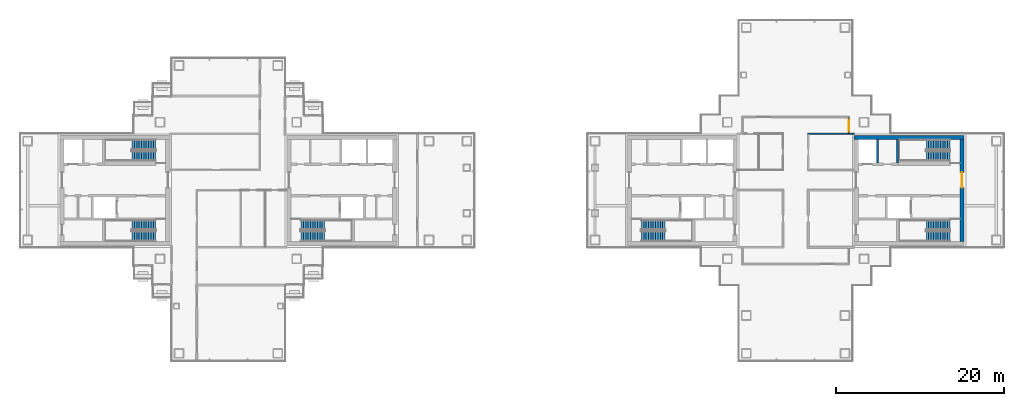
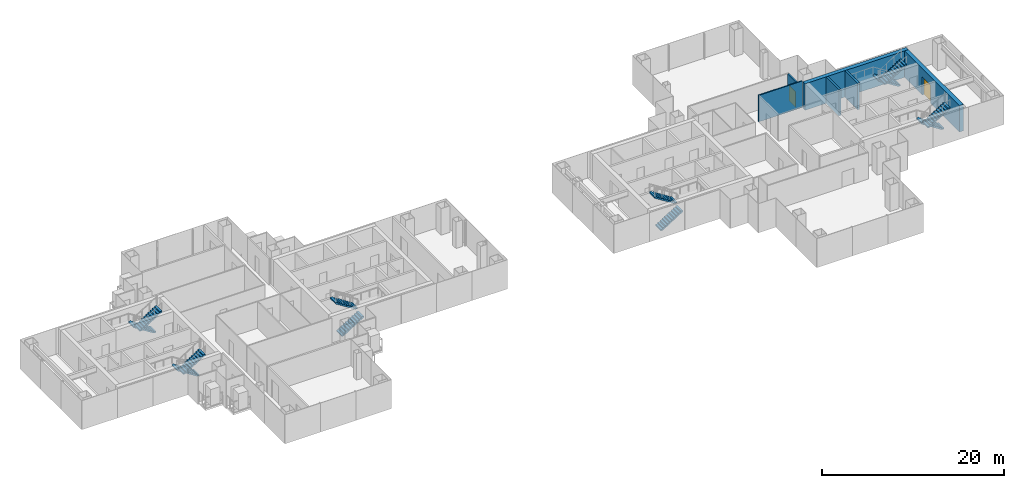
# One storey, part 13 of 16: 12 stair flights, 6 walls, 2 doors, 2 openings, 6 elements without a shape of their own.
"""IFC4 building model written with IfcOpenShell, lengths in metres."""

from ifc_helpers import new_model, si_unit, direction, frame, frame_2d, origin, place, context, subcontext, project, spatial, polyline, rectangle, outline, extrude, material, layer, layer_set, type_object, element, fill, aggregate, save


model = new_model("IFC4")

# Units and contexts
model_context = context("Model", 3, precision=1e-05, world=origin(), true_north=direction((0.0, 1.0)))
body_context = subcontext(model_context, "Body", "Model", "MODEL_VIEW")
ifc_project = project(units=[si_unit("LENGTHUNIT", "METRE"), si_unit("AREAUNIT", "SQUARE_METRE"), si_unit("VOLUMEUNIT", "CUBIC_METRE"), si_unit("PLANEANGLEUNIT", "RADIAN"), si_unit("MASSUNIT", "GRAM", prefix="KILO")], contexts=[model_context])

# Site, building, storey
site_placement = place(None, origin())
site = spatial("IfcSite", under=ifc_project, at=site_placement, CompositionType="ELEMENT")
building_placement = place(site_placement, origin())
building = spatial("IfcBuilding", under=site, at=building_placement, Name="Shamsa Quay Exchange Towers", CompositionType="ELEMENT")
storey_placement = place(building_placement, frame((0.0, 0.0, 142.800048828125)))
storey = spatial("IfcBuildingStorey", under=building, at=storey_placement, Name="L33", CompositionType="ELEMENT", Elevation=142.800048828125)

# Wall
ifc_material_1 = material(Name="Concrete C60/75", Category="concrete")
ifc_layer_1 = layer(ifc_material_1, 0.5)
ifc_layer_set_1 = layer_set([ifc_layer_1], Name="CORE WALL 500 C60/75")
wall_type_1 = type_object("IfcWallType", Name="CORE WALL 500 C60/75", PredefinedType="SHEAR", material=ifc_layer_set_1)
wall_1_placement = place(storey_placement, frame((53.800048828125, 6.300048828125, 0.0), z_axis=(0.0, 0.0, 1.0), x_axis=(-1.0, 0.0, 0.0)))
element("IfcWall", 1, at=wall_1_placement, inside=storey, type_object=wall_type_1, Name="Core wall T2B-R15-PN", PredefinedType="SHEAR", context=body_context, shape_type="SweptSolid", body=[
    extrude(rectangle(XDim=13.10009765625, YDim=0.5, at=frame_2d((6.550048828125, 0.0))), origin(), (0.0, 0.0, 1.0), 3.550048828125),
])

# Wall, opening, door
wall_2_placement = place(storey_placement, frame((53.550048828125, -6.050048828125, 0.0), z_axis=(0.0, 0.0, 1.0), x_axis=(0.0, 1.0, 0.0)))
wall_2 = element("IfcWall", 2, at=wall_2_placement, inside=storey, type_object=wall_type_1, Name="Core wall T2B-R15-PF", PredefinedType="SHEAR", context=body_context, shape_type="SweptSolid", body=[
    extrude(rectangle(XDim=12.10009765625, YDim=0.5, at=frame_2d((6.050048828125, 0.0))), origin(), (0.0, 0.0, 1.0), 3.550048828125),
])
opening_1_placement = place(wall_2_placement, frame((6.39990234375, 0.0, 0.0)))
opening_1 = element("IfcOpeningElement", 3, at=opening_1_placement, cuts=wall_2, Name="Opening T2B-R15-LBD01", PredefinedType="OPENING", context=body_context, shape_type="SweptSolid", body=[
    extrude(rectangle(XDim=1.800048828125, YDim=2.39990234375, at=frame_2d((0.89990234375, 1.199951171875))), frame((0.0, 0.260009765625, 0.0), z_axis=(0.0, -1.0, 0.0), x_axis=(1.0, 0.0, 0.0)), (0.0, 0.0, 1.0), 0.52001953125),
])
ifc_material_2 = material(Name="Steel, fire rated", Category="steel")
door_type_1 = type_object("IfcDoorType", Name="LIFT LOBBY DOOR PAIR 1800", OperationType="DOUBLE_DOOR_SINGLE_SWING", PredefinedType="DOOR", material=ifc_material_2)
door_1_placement = place(opening_1_placement, origin())
door_1 = element("IfcDoor", 4, at=door_1_placement, inside=storey, type_object=door_type_1, Name="T2B-R15-LBD01", OperationType="DOUBLE_DOOR_SINGLE_SWING", OverallHeight=2.39990234375, OverallWidth=1.800048828125, PredefinedType="DOOR", context=body_context, shape_type="SweptSolid", body=[
    extrude(rectangle(XDim=1.800048828125, YDim=2.39990234375, at=frame_2d((0.89990234375, 1.199951171875))), frame((0.0, 0.02490234375, 0.0), z_axis=(0.0, -1.0, 0.0), x_axis=(1.0, 0.0, 0.0)), (0.0, 0.0, 1.0), 0.050048828125),
])
fill(opening_1, door_1)

# Wall
ifc_material_3 = material(Name="Gypsum board partition on metal studs")
ifc_layer_2 = layer(ifc_material_3, 0.14990234375)
ifc_layer_set_2 = layer_set([ifc_layer_2], Name="Partition 150 mm EI 60")
wall_type_2 = type_object("IfcWallType", Name="Partition 150 mm EI 60", PredefinedType="PARTITIONING", material=ifc_layer_set_2)
wall_3_placement = place(storey_placement, frame((40.699951171875, 6.75, 0.0), z_axis=(0.0, 0.0, 1.0), x_axis=(-1.0, 0.0, 0.0)))
element("IfcWall", 5, at=wall_3_placement, inside=storey, type_object=wall_type_2, Name="Partition T2-R15-W10", PredefinedType="PARTITIONING", context=body_context, shape_type="SweptSolid", body=[
    extrude(rectangle(XDim=5.52490234375, YDim=0.14990234375, at=frame_2d((2.762451171875, 0.0))), origin(), (0.0, 0.0, 1.0), 3.550048828125),
])

# Wall, opening, door
wall_4_placement = place(storey_placement, frame((40.0751953125, 6.824951171875, 0.0), z_axis=(0.0, 0.0, 1.0), x_axis=(0.0, 1.0, 0.0)))
wall_4 = element("IfcWall", 6, at=wall_4_placement, inside=storey, type_object=wall_type_2, Name="Partition T2-R15-W14", PredefinedType="PARTITIONING", context=body_context, shape_type="SweptSolid", body=[
    extrude(rectangle(XDim=1.85009765625, YDim=0.14990234375, at=frame_2d((0.925048828125, 0.0))), origin(), (0.0, 0.0, 1.0), 3.550048828125),
])
opening_2_placement = place(wall_4_placement, frame((0.175048828125, 0.0, 0.0)))
opening_2 = element("IfcOpeningElement", 7, at=opening_2_placement, cuts=wall_4, Name="Opening T2-R15-D03", PredefinedType="OPENING", context=body_context, shape_type="SweptSolid", body=[
    extrude(rectangle(XDim=1.5, YDim=2.10009765625, at=frame_2d((0.75, 1.050048828125))), frame((0.0, 0.0849609375, 0.0), z_axis=(0.0, -1.0, 0.0), x_axis=(1.0, 0.0, 0.0)), (0.0, 0.0, 1.0), 0.169921875),
])
ifc_material_4 = material(Name="Timber door leaf in a metal frame", Category="wood")
door_type_2 = type_object("IfcDoorType", Name="Door 1500x2100 FD30S pair", OperationType="NOTDEFINED", PredefinedType="DOOR", material=ifc_material_4)
door_2_placement = place(opening_2_placement, origin())
door_2 = element("IfcDoor", 8, at=door_2_placement, inside=storey, type_object=door_type_2, Name="Door T2-R15-D03", OperationType="DOUBLE_DOOR_SINGLE_SWING", OverallHeight=2.10009765625, OverallWidth=1.5, PredefinedType="DOOR", context=body_context, shape_type="SweptSolid", body=[
    extrude(rectangle(XDim=1.5, YDim=2.10009765625, at=frame_2d((0.75, 1.050048828125))), frame((0.0, 0.02490234375, 0.0), z_axis=(0.0, -1.0, 0.0), x_axis=(1.0, 0.0, 0.0)), (0.0, 0.0, 1.0), 0.050048828125),
])
fill(opening_2, door_2)

# Walls
ifc_material_5 = material(Name="Concrete C50/60", Category="concrete")
ifc_layer_3 = layer(ifc_material_5, 0.25)
ifc_layer_set_3 = layer_set([ifc_layer_3], Name="SHAFT WALL 250 C50/60")
wall_type_3 = type_object("IfcWallType", Name="SHAFT WALL 250 C50/60", PredefinedType="SHEAR", material=ifc_layer_set_3)
for number, where, z_axis, x_axis, name in (
    (9, (45.875, 3.25, 0.0), (0.0, 0.0, 1.0), (0.0, 1.0, 0.0), "Shaft wall T2B-R15-STF2"),
    (10, (43.47509765625, 3.25, 0.0), (0.0, 0.0, 1.0), (0.0, 1.0, 0.0), "Shaft wall T2B-R15-D0"),
):
    element("IfcWall", number, at=place(storey_placement, frame(where, z_axis=z_axis, x_axis=x_axis)), inside=storey, type_object=wall_type_3, Name=name, PredefinedType="SHEAR", context=body_context, shape_type="SweptSolid", body=[
        extrude(rectangle(XDim=2.800048828125, YDim=0.25, at=frame_2d((1.39990234375, 0.0))), origin(), (0.0, 0.0, 1.0), 3.550048828125),
    ])

# Stair, stair flights
ifc_material_6 = material(Name="Concrete C40/50", Category="concrete")
stair_type = type_object("IfcStairType", Name="EXIT STAIR 22 RISERS 177 MM", PredefinedType="HALF_TURN_STAIR", material=ifc_material_6)
stair_1_placement = place(storey_placement, origin())
stair_1 = element("IfcStair", 11, at=stair_1_placement, inside=storey, type_object=stair_type, Name="L33 Exit stair ST1", PredefinedType="HALF_TURN_STAIR")
stair_flight_type = type_object("IfcStairFlightType", Name="EXIT STAIR FLIGHT 11 RISERS 177 MM", PredefinedType="STRAIGHT", material=ifc_material_6)
stair_flight_1_placement = place(storey_placement, frame((-25.10009765625, -5.449951171875, 0.0)))
stair_flight_1 = element("IfcStairFlight", 12, at=stair_flight_1_placement, type_object=stair_flight_type, Name="ST1 flight 1", NumberOfRisers=11, NumberOfTreads=10, PredefinedType="STRAIGHT", RiserHeight=0.177272727, TreadLength=0.28, context=body_context, shape_type="SweptSolid", body=[
    extrude(outline(polyline([(0.0, 0.0), (0.0, 0.17724609375), (0.280029296875, 0.17724609375), (0.280029296875, 0.3544921875), (0.56005859375, 0.3544921875), (0.56005859375, 0.53173828125), (0.840087890625, 0.53173828125), (0.840087890625, 0.708984375), (1.1201171875, 0.708984375), (1.1201171875, 0.886474609375), (1.39990234375, 0.886474609375), (1.39990234375, 1.063720703125), (1.679931640625, 1.063720703125), (1.679931640625, 1.240966796875), (1.9599609375, 1.240966796875), (1.9599609375, 1.418212890625), (2.239990234375, 1.418212890625), (2.239990234375, 1.595458984375), (2.52001953125, 1.595458984375), (2.52001953125, 1.772705078125), (2.800048828125, 1.772705078125), (2.800048828125, 1.949951171875), (2.800048828125, 1.607177734375), (0.261474609375, 0.0), (0.0, 0.0)])), frame((0.0, 0.60009765625, 0.0), z_axis=(0.0, -1.0, 0.0), x_axis=(1.0, 0.0, 0.0)), (0.0, 0.0, 1.0), 1.199951171875),
])
stair_flight_2_placement = place(storey_placement, frame((-22.300048828125, -4.10009765625, 1.949951171875), z_axis=(0.0, 0.0, 1.0), x_axis=(-1.0, 0.0, 0.0)))
stair_flight_2 = element("IfcStairFlight", 13, at=stair_flight_2_placement, type_object=stair_flight_type, Name="ST1 flight 2", NumberOfRisers=11, NumberOfTreads=10, PredefinedType="STRAIGHT", RiserHeight=0.177272727, TreadLength=0.28, context=body_context, shape_type="SweptSolid", body=[
    extrude(outline(polyline([(0.0, 0.0), (0.0, 0.17724609375), (0.280029296875, 0.17724609375), (0.280029296875, 0.3544921875), (0.56005859375, 0.3544921875), (0.56005859375, 0.53173828125), (0.840087890625, 0.53173828125), (0.840087890625, 0.708984375), (1.1201171875, 0.708984375), (1.1201171875, 0.886474609375), (1.39990234375, 0.886474609375), (1.39990234375, 1.063720703125), (1.679931640625, 1.063720703125), (1.679931640625, 1.240966796875), (1.9599609375, 1.240966796875), (1.9599609375, 1.418212890625), (2.239990234375, 1.418212890625), (2.239990234375, 1.595458984375), (2.52001953125, 1.595458984375), (2.52001953125, 1.772705078125), (2.800048828125, 1.772705078125), (2.800048828125, 1.949951171875), (2.800048828125, 1.607177734375), (0.261474609375, 0.0), (0.0, 0.0)])), frame((0.0, 0.60009765625, 0.0), z_axis=(0.0, -1.0, 0.0), x_axis=(1.0, 0.0, 0.0)), (0.0, 0.0, 1.0), 1.199951171875),
])
aggregate(stair_1, [stair_flight_1, stair_flight_2])

stair_2_placement = place(storey_placement, origin())
stair_2 = element("IfcStair", 14, at=stair_2_placement, inside=storey, type_object=stair_type, Name="L33 Exit stair ST2", PredefinedType="HALF_TURN_STAIR")
stair_flight_3_placement = place(storey_placement, frame((-42.39990234375, -4.10009765625, 0.0), z_axis=(0.0, 0.0, 1.0), x_axis=(-1.0, 0.0, 0.0)))
stair_flight_3 = element("IfcStairFlight", 15, at=stair_flight_3_placement, type_object=stair_flight_type, Name="ST2 flight 1", NumberOfRisers=11, NumberOfTreads=10, PredefinedType="STRAIGHT", RiserHeight=0.177272727, TreadLength=0.28, context=body_context, shape_type="SweptSolid", body=[
    extrude(outline(polyline([(0.0, 0.0), (0.0, 0.17724609375), (0.280029296875, 0.17724609375), (0.280029296875, 0.3544921875), (0.56005859375, 0.3544921875), (0.56005859375, 0.53173828125), (0.840087890625, 0.53173828125), (0.840087890625, 0.708984375), (1.1201171875, 0.708984375), (1.1201171875, 0.886474609375), (1.39990234375, 0.886474609375), (1.39990234375, 1.063720703125), (1.679931640625, 1.063720703125), (1.679931640625, 1.240966796875), (1.9599609375, 1.240966796875), (1.9599609375, 1.418212890625), (2.239990234375, 1.418212890625), (2.239990234375, 1.595458984375), (2.52001953125, 1.595458984375), (2.52001953125, 1.772705078125), (2.800048828125, 1.772705078125), (2.800048828125, 1.949951171875), (2.800048828125, 1.607177734375), (0.261474609375, 0.0), (0.0, 0.0)])), frame((0.0, 0.60009765625, 0.0), z_axis=(0.0, -1.0, 0.0), x_axis=(1.0, 0.0, 0.0)), (0.0, 0.0, 1.0), 1.199951171875),
])
stair_flight_4_placement = place(storey_placement, frame((-45.199951171875, -5.449951171875, 1.949951171875)))
stair_flight_4 = element("IfcStairFlight", 16, at=stair_flight_4_placement, type_object=stair_flight_type, Name="ST2 flight 2", NumberOfRisers=11, NumberOfTreads=10, PredefinedType="STRAIGHT", RiserHeight=0.177272727, TreadLength=0.28, context=body_context, shape_type="SweptSolid", body=[
    extrude(outline(polyline([(0.0, 0.0), (0.0, 0.17724609375), (0.280029296875, 0.17724609375), (0.280029296875, 0.3544921875), (0.56005859375, 0.3544921875), (0.56005859375, 0.53173828125), (0.840087890625, 0.53173828125), (0.840087890625, 0.708984375), (1.1201171875, 0.708984375), (1.1201171875, 0.886474609375), (1.39990234375, 0.886474609375), (1.39990234375, 1.063720703125), (1.679931640625, 1.063720703125), (1.679931640625, 1.240966796875), (1.9599609375, 1.240966796875), (1.9599609375, 1.418212890625), (2.239990234375, 1.418212890625), (2.239990234375, 1.595458984375), (2.52001953125, 1.595458984375), (2.52001953125, 1.772705078125), (2.800048828125, 1.772705078125), (2.800048828125, 1.949951171875), (2.800048828125, 1.607177734375), (0.261474609375, 0.0), (0.0, 0.0)])), frame((0.0, 0.60009765625, 0.0), z_axis=(0.0, -1.0, 0.0), x_axis=(1.0, 0.0, 0.0)), (0.0, 0.0, 1.0), 1.199951171875),
])
aggregate(stair_2, [stair_flight_3, stair_flight_4])

stair_3_placement = place(storey_placement, origin())
stair_3 = element("IfcStair", 17, at=stair_3_placement, inside=storey, type_object=stair_type, Name="L33 Exit stair ST3", PredefinedType="HALF_TURN_STAIR")
stair_flight_5_placement = place(storey_placement, frame((-42.39990234375, 5.449951171875, 0.0), z_axis=(0.0, 0.0, 1.0), x_axis=(-1.0, 0.0, 0.0)))
stair_flight_5 = element("IfcStairFlight", 18, at=stair_flight_5_placement, type_object=stair_flight_type, Name="ST3 flight 1", NumberOfRisers=11, NumberOfTreads=10, PredefinedType="STRAIGHT", RiserHeight=0.177272727, TreadLength=0.28, context=body_context, shape_type="SweptSolid", body=[
    extrude(outline(polyline([(0.0, 0.0), (0.0, 0.17724609375), (0.280029296875, 0.17724609375), (0.280029296875, 0.3544921875), (0.56005859375, 0.3544921875), (0.56005859375, 0.53173828125), (0.840087890625, 0.53173828125), (0.840087890625, 0.708984375), (1.1201171875, 0.708984375), (1.1201171875, 0.886474609375), (1.39990234375, 0.886474609375), (1.39990234375, 1.063720703125), (1.679931640625, 1.063720703125), (1.679931640625, 1.240966796875), (1.9599609375, 1.240966796875), (1.9599609375, 1.418212890625), (2.239990234375, 1.418212890625), (2.239990234375, 1.595458984375), (2.52001953125, 1.595458984375), (2.52001953125, 1.772705078125), (2.800048828125, 1.772705078125), (2.800048828125, 1.949951171875), (2.800048828125, 1.607177734375), (0.261474609375, 0.0), (0.0, 0.0)])), frame((0.0, 0.60009765625, 0.0), z_axis=(0.0, -1.0, 0.0), x_axis=(1.0, 0.0, 0.0)), (0.0, 0.0, 1.0), 1.199951171875),
])
stair_flight_6_placement = place(storey_placement, frame((-45.199951171875, 4.10009765625, 1.949951171875)))
stair_flight_6 = element("IfcStairFlight", 19, at=stair_flight_6_placement, type_object=stair_flight_type, Name="ST3 flight 2", NumberOfRisers=11, NumberOfTreads=10, PredefinedType="STRAIGHT", RiserHeight=0.177272727, TreadLength=0.28, context=body_context, shape_type="SweptSolid", body=[
    extrude(outline(polyline([(0.0, 0.0), (0.0, 0.17724609375), (0.280029296875, 0.17724609375), (0.280029296875, 0.3544921875), (0.56005859375, 0.3544921875), (0.56005859375, 0.53173828125), (0.840087890625, 0.53173828125), (0.840087890625, 0.708984375), (1.1201171875, 0.708984375), (1.1201171875, 0.886474609375), (1.39990234375, 0.886474609375), (1.39990234375, 1.063720703125), (1.679931640625, 1.063720703125), (1.679931640625, 1.240966796875), (1.9599609375, 1.240966796875), (1.9599609375, 1.418212890625), (2.239990234375, 1.418212890625), (2.239990234375, 1.595458984375), (2.52001953125, 1.595458984375), (2.52001953125, 1.772705078125), (2.800048828125, 1.772705078125), (2.800048828125, 1.949951171875), (2.800048828125, 1.607177734375), (0.261474609375, 0.0), (0.0, 0.0)])), frame((0.0, 0.60009765625, 0.0), z_axis=(0.0, -1.0, 0.0), x_axis=(1.0, 0.0, 0.0)), (0.0, 0.0, 1.0), 1.199951171875),
])
aggregate(stair_3, [stair_flight_5, stair_flight_6])

stair_4_placement = place(storey_placement, origin())
stair_4 = element("IfcStair", 20, at=stair_4_placement, inside=storey, type_object=stair_type, Name="L33 Exit stair ST4", PredefinedType="HALF_TURN_STAIR")
stair_flight_7_placement = place(storey_placement, frame((15.39990234375, -5.449951171875, 0.0)))
stair_flight_7 = element("IfcStairFlight", 21, at=stair_flight_7_placement, type_object=stair_flight_type, Name="ST4 flight 1", NumberOfRisers=11, NumberOfTreads=10, PredefinedType="STRAIGHT", RiserHeight=0.177272727, TreadLength=0.28, context=body_context, shape_type="SweptSolid", body=[
    extrude(outline(polyline([(0.0, 0.0), (0.0, 0.17724609375), (0.280029296875, 0.17724609375), (0.280029296875, 0.3544921875), (0.56005859375, 0.3544921875), (0.56005859375, 0.53173828125), (0.840087890625, 0.53173828125), (0.840087890625, 0.708984375), (1.1201171875, 0.708984375), (1.1201171875, 0.886474609375), (1.39990234375, 0.886474609375), (1.39990234375, 1.063720703125), (1.679931640625, 1.063720703125), (1.679931640625, 1.240966796875), (1.9599609375, 1.240966796875), (1.9599609375, 1.418212890625), (2.239990234375, 1.418212890625), (2.239990234375, 1.595458984375), (2.52001953125, 1.595458984375), (2.52001953125, 1.772705078125), (2.800048828125, 1.772705078125), (2.800048828125, 1.949951171875), (2.800048828125, 1.607177734375), (0.261474609375, 0.0), (0.0, 0.0)])), frame((0.0, 0.60009765625, 0.0), z_axis=(0.0, -1.0, 0.0), x_axis=(1.0, 0.0, 0.0)), (0.0, 0.0, 1.0), 1.199951171875),
])
stair_flight_8_placement = place(storey_placement, frame((18.199951171875, -4.10009765625, 1.949951171875), z_axis=(0.0, 0.0, 1.0), x_axis=(-1.0, 0.0, 0.0)))
stair_flight_8 = element("IfcStairFlight", 22, at=stair_flight_8_placement, type_object=stair_flight_type, Name="ST4 flight 2", NumberOfRisers=11, NumberOfTreads=10, PredefinedType="STRAIGHT", RiserHeight=0.177272727, TreadLength=0.28, context=body_context, shape_type="SweptSolid", body=[
    extrude(outline(polyline([(0.0, 0.0), (0.0, 0.17724609375), (0.280029296875, 0.17724609375), (0.280029296875, 0.3544921875), (0.56005859375, 0.3544921875), (0.56005859375, 0.53173828125), (0.840087890625, 0.53173828125), (0.840087890625, 0.708984375), (1.1201171875, 0.708984375), (1.1201171875, 0.886474609375), (1.39990234375, 0.886474609375), (1.39990234375, 1.063720703125), (1.679931640625, 1.063720703125), (1.679931640625, 1.240966796875), (1.9599609375, 1.240966796875), (1.9599609375, 1.418212890625), (2.239990234375, 1.418212890625), (2.239990234375, 1.595458984375), (2.52001953125, 1.595458984375), (2.52001953125, 1.772705078125), (2.800048828125, 1.772705078125), (2.800048828125, 1.949951171875), (2.800048828125, 1.607177734375), (0.261474609375, 0.0), (0.0, 0.0)])), frame((0.0, 0.60009765625, 0.0), z_axis=(0.0, -1.0, 0.0), x_axis=(1.0, 0.0, 0.0)), (0.0, 0.0, 1.0), 1.199951171875),
])
aggregate(stair_4, [stair_flight_7, stair_flight_8])

stair_5_placement = place(storey_placement, origin())
stair_5 = element("IfcStair", 23, at=stair_5_placement, inside=storey, type_object=stair_type, Name="L33 Exit stair ST5", PredefinedType="HALF_TURN_STAIR")
stair_flight_9_placement = place(storey_placement, frame((52.10009765625, -4.10009765625, 0.0), z_axis=(0.0, 0.0, 1.0), x_axis=(-1.0, 0.0, 0.0)))
stair_flight_9 = element("IfcStairFlight", 24, at=stair_flight_9_placement, type_object=stair_flight_type, Name="ST5 flight 1", NumberOfRisers=11, NumberOfTreads=10, PredefinedType="STRAIGHT", RiserHeight=0.177272727, TreadLength=0.28, context=body_context, shape_type="SweptSolid", body=[
    extrude(outline(polyline([(0.0, 0.0), (0.0, 0.17724609375), (0.280029296875, 0.17724609375), (0.280029296875, 0.3544921875), (0.56005859375, 0.3544921875), (0.56005859375, 0.53173828125), (0.840087890625, 0.53173828125), (0.840087890625, 0.708984375), (1.1201171875, 0.708984375), (1.1201171875, 0.886474609375), (1.39990234375, 0.886474609375), (1.39990234375, 1.063720703125), (1.679931640625, 1.063720703125), (1.679931640625, 1.240966796875), (1.9599609375, 1.240966796875), (1.9599609375, 1.418212890625), (2.239990234375, 1.418212890625), (2.239990234375, 1.595458984375), (2.52001953125, 1.595458984375), (2.52001953125, 1.772705078125), (2.800048828125, 1.772705078125), (2.800048828125, 1.949951171875), (2.800048828125, 1.607177734375), (0.261474609375, 0.0), (0.0, 0.0)])), frame((0.0, 0.60009765625, 0.0), z_axis=(0.0, -1.0, 0.0), x_axis=(1.0, 0.0, 0.0)), (0.0, 0.0, 1.0), 1.199951171875),
])
stair_flight_10_placement = place(storey_placement, frame((49.300048828125, -5.449951171875, 1.949951171875)))
stair_flight_10 = element("IfcStairFlight", 25, at=stair_flight_10_placement, type_object=stair_flight_type, Name="ST5 flight 2", NumberOfRisers=11, NumberOfTreads=10, PredefinedType="STRAIGHT", RiserHeight=0.177272727, TreadLength=0.28, context=body_context, shape_type="SweptSolid", body=[
    extrude(outline(polyline([(0.0, 0.0), (0.0, 0.17724609375), (0.280029296875, 0.17724609375), (0.280029296875, 0.3544921875), (0.56005859375, 0.3544921875), (0.56005859375, 0.53173828125), (0.840087890625, 0.53173828125), (0.840087890625, 0.708984375), (1.1201171875, 0.708984375), (1.1201171875, 0.886474609375), (1.39990234375, 0.886474609375), (1.39990234375, 1.063720703125), (1.679931640625, 1.063720703125), (1.679931640625, 1.240966796875), (1.9599609375, 1.240966796875), (1.9599609375, 1.418212890625), (2.239990234375, 1.418212890625), (2.239990234375, 1.595458984375), (2.52001953125, 1.595458984375), (2.52001953125, 1.772705078125), (2.800048828125, 1.772705078125), (2.800048828125, 1.949951171875), (2.800048828125, 1.607177734375), (0.261474609375, 0.0), (0.0, 0.0)])), frame((0.0, 0.60009765625, 0.0), z_axis=(0.0, -1.0, 0.0), x_axis=(1.0, 0.0, 0.0)), (0.0, 0.0, 1.0), 1.199951171875),
])
aggregate(stair_5, [stair_flight_9, stair_flight_10])

stair_6_placement = place(storey_placement, origin())
stair_6 = element("IfcStair", 26, at=stair_6_placement, inside=storey, type_object=stair_type, Name="L33 Exit stair ST6", PredefinedType="HALF_TURN_STAIR")
stair_flight_11_placement = place(storey_placement, frame((52.10009765625, 5.449951171875, 0.0), z_axis=(0.0, 0.0, 1.0), x_axis=(-1.0, 0.0, 0.0)))
stair_flight_11 = element("IfcStairFlight", 27, at=stair_flight_11_placement, type_object=stair_flight_type, Name="ST6 flight 1", NumberOfRisers=11, NumberOfTreads=10, PredefinedType="STRAIGHT", RiserHeight=0.177272727, TreadLength=0.28, context=body_context, shape_type="SweptSolid", body=[
    extrude(outline(polyline([(0.0, 0.0), (0.0, 0.17724609375), (0.280029296875, 0.17724609375), (0.280029296875, 0.3544921875), (0.56005859375, 0.3544921875), (0.56005859375, 0.53173828125), (0.840087890625, 0.53173828125), (0.840087890625, 0.708984375), (1.1201171875, 0.708984375), (1.1201171875, 0.886474609375), (1.39990234375, 0.886474609375), (1.39990234375, 1.063720703125), (1.679931640625, 1.063720703125), (1.679931640625, 1.240966796875), (1.9599609375, 1.240966796875), (1.9599609375, 1.418212890625), (2.239990234375, 1.418212890625), (2.239990234375, 1.595458984375), (2.52001953125, 1.595458984375), (2.52001953125, 1.772705078125), (2.800048828125, 1.772705078125), (2.800048828125, 1.949951171875), (2.800048828125, 1.607177734375), (0.261474609375, 0.0), (0.0, 0.0)])), frame((0.0, 0.60009765625, 0.0), z_axis=(0.0, -1.0, 0.0), x_axis=(1.0, 0.0, 0.0)), (0.0, 0.0, 1.0), 1.199951171875),
])
stair_flight_12_placement = place(storey_placement, frame((49.300048828125, 4.10009765625, 1.949951171875)))
stair_flight_12 = element("IfcStairFlight", 28, at=stair_flight_12_placement, type_object=stair_flight_type, Name="ST6 flight 2", NumberOfRisers=11, NumberOfTreads=10, PredefinedType="STRAIGHT", RiserHeight=0.177272727, TreadLength=0.28, context=body_context, shape_type="SweptSolid", body=[
    extrude(outline(polyline([(0.0, 0.0), (0.0, 0.17724609375), (0.280029296875, 0.17724609375), (0.280029296875, 0.3544921875), (0.56005859375, 0.3544921875), (0.56005859375, 0.53173828125), (0.840087890625, 0.53173828125), (0.840087890625, 0.708984375), (1.1201171875, 0.708984375), (1.1201171875, 0.886474609375), (1.39990234375, 0.886474609375), (1.39990234375, 1.063720703125), (1.679931640625, 1.063720703125), (1.679931640625, 1.240966796875), (1.9599609375, 1.240966796875), (1.9599609375, 1.418212890625), (2.239990234375, 1.418212890625), (2.239990234375, 1.595458984375), (2.52001953125, 1.595458984375), (2.52001953125, 1.772705078125), (2.800048828125, 1.772705078125), (2.800048828125, 1.949951171875), (2.800048828125, 1.607177734375), (0.261474609375, 0.0), (0.0, 0.0)])), frame((0.0, 0.60009765625, 0.0), z_axis=(0.0, -1.0, 0.0), x_axis=(1.0, 0.0, 0.0)), (0.0, 0.0, 1.0), 1.199951171875),
])
aggregate(stair_6, [stair_flight_11, stair_flight_12])

save(model, "model.ifc")
